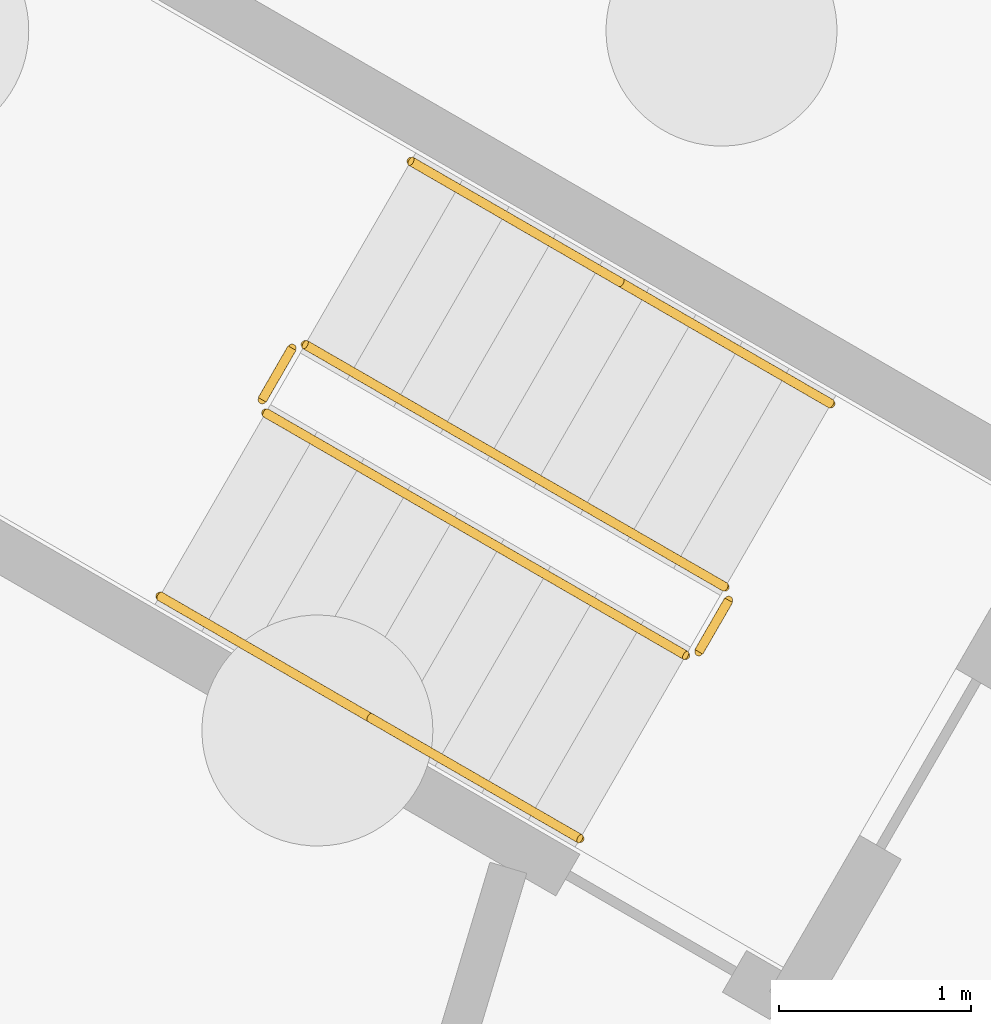
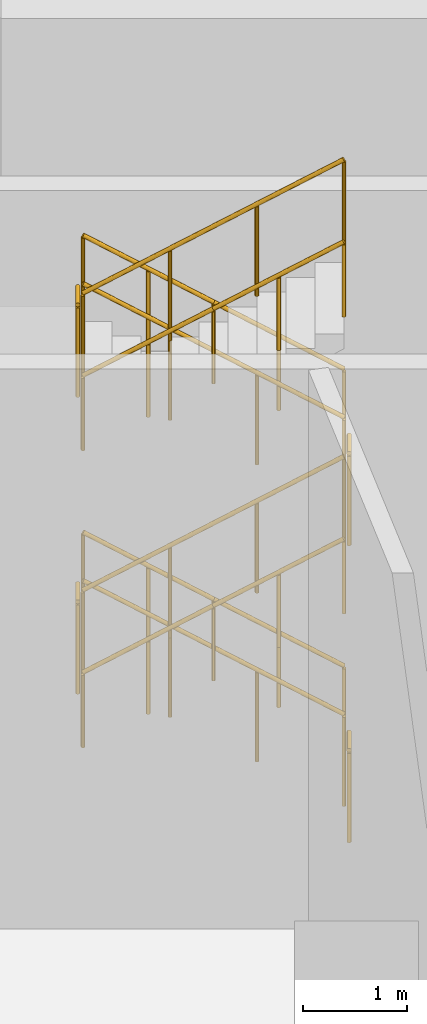
# One storey, part 15 of 18: 16 railings.
"""IFC4 building model written with IfcOpenShell, lengths in metres."""

import ifcopenshell
import ifcopenshell.guid

model = None  # the IFC model being written
_history = None  # IfcOwnerHistory: only IFC2X3 demands one
_inside = {}  # id of a spatial element -> (the spatial element, [elements in it])
_under = {}  # id of a project, library or spatial element -> (it, [spatial elements below it])
_declared = {}  # id of a project -> (the project, [libraries it declares])
_typed = {}  # id of a type object -> (the type object, [elements of that type])
_made_of = {}  # id of a material, layer set ... -> (it, [elements and type objects made of it])


def new_model(schema):
    """Start an empty IFC model of exactly this schema.

    Asked for "IFC4X3", IfcOpenShell would pick the latest addendum, in which some entities
    have other attributes; the version numbers below select the first issue.
    IFC2X3 requires an IfcOwnerHistory on every rooted entity: one is made here for all.
    """
    global model, _history
    if schema == "IFC4X3":
        model = ifcopenshell.file(schema_version=(4, 3, 0, 0))
    else:
        model = ifcopenshell.file(schema=schema)
    _inside.clear()
    _under.clear()
    _declared.clear()
    _typed.clear()
    _made_of.clear()
    _history = None
    if model.schema == "IFC2X3":
        org = make("IfcOrganization", Name="unknown")
        user = make(
            "IfcPersonAndOrganization",
            ThePerson=make("IfcPerson", FamilyName="unknown"),
            TheOrganization=org,
        )
        app = make(
            "IfcApplication",
            ApplicationDeveloper=org,
            Version="unknown",
            ApplicationFullName="unknown",
            ApplicationIdentifier="unknown",
        )
        _history = make(
            "IfcOwnerHistory",
            OwningUser=user,
            OwningApplication=app,
            ChangeAction="ADDED",
            CreationDate=0,
        )
    return model


def make(cls, **values):
    """One entity of the class cls with the attributes given. An attribute that is None is left unset."""
    return model.create_entity(
        cls, **{name: value for name, value in values.items() if value is not None}
    )


def rooted(cls, **values):
    """An entity with a GlobalId (a new one), such as an element, a storey or a relation."""
    return make(cls, GlobalId=ifcopenshell.guid.new(), OwnerHistory=_history, **values)


def si_unit(unit_type, name, prefix=None):
    """IfcSIUnit, for example si_unit("LENGTHUNIT", "METRE", prefix="MILLI")."""
    return make("IfcSIUnit", UnitType=unit_type, Prefix=prefix, Name=name)


def assignment(units):
    """IfcUnitAssignment: the units of a project."""
    return None if units is None else make("IfcUnitAssignment", Units=units)


def point(xyz):
    """IfcCartesianPoint."""
    return None if xyz is None else make("IfcCartesianPoint", Coordinates=xyz)


def direction(xyz):
    """IfcDirection."""
    return None if xyz is None else make("IfcDirection", DirectionRatios=xyz)


def frame(location, z_axis=None, x_axis=None):
    """IfcAxis2Placement3D, a coordinate frame: its origin and axes. An axis left out is left unset."""
    return make(
        "IfcAxis2Placement3D",
        Location=point(location),
        Axis=direction(z_axis),
        RefDirection=direction(x_axis),
    )


def frame_2d(location, x_axis=None):
    """IfcAxis2Placement2D, a coordinate frame in the plane: its origin and x axis."""
    return make(
        "IfcAxis2Placement2D", Location=point(location), RefDirection=direction(x_axis)
    )


def origin():
    """The frame at (0, 0, 0) with its axes left unset."""
    return frame((0.0, 0.0, 0.0))


def origin_2d():
    """The frame at (0, 0) in the plane with its x axis left unset."""
    return frame_2d((0.0, 0.0))


def place(relative_to, where):
    """IfcLocalPlacement: puts the frame where relative to a parent placement (None: the world)."""
    return make(
        "IfcLocalPlacement", PlacementRelTo=relative_to, RelativePlacement=where
    )


def context(
    kind, dimensions, precision=None, world=None, true_north=None, identifier=None
):
    """IfcGeometricRepresentationContext, for example the 3D "Model" context."""
    return make(
        "IfcGeometricRepresentationContext",
        ContextIdentifier=identifier,
        ContextType=kind,
        CoordinateSpaceDimension=dimensions,
        Precision=precision,
        WorldCoordinateSystem=world,
        TrueNorth=true_north,
    )


def subcontext(parent, identifier, kind, view, scale=None):
    """IfcGeometricRepresentationSubContext, for example "Body" below "Model"."""
    return make(
        "IfcGeometricRepresentationSubContext",
        ContextIdentifier=identifier,
        ContextType=kind,
        ParentContext=parent,
        TargetScale=scale,
        TargetView=view,
    )


def project(units=None, contexts=None):
    """IfcProject with its units and contexts."""
    return rooted(
        "IfcProject",
        Name="project",
        RepresentationContexts=contexts,
        UnitsInContext=assignment(units),
    )


def spatial(cls, under=None, at=None, **own):
    """A site, building, storey or space (cls), placed at a placement, below another one or the project."""
    s = rooted(cls, ObjectPlacement=at, **own)
    if under is not None:
        _under.setdefault(under.id(), (under, []))[1].append(s)
    return s


def profile(cls, at=None, kind="AREA", **sizes):
    """A parametric profile (cls). Its sizes go by their IFC names, for example OverallWidth=200.0."""
    return make(cls, ProfileType=kind, Position=at, **sizes)


def circle(**sizes):
    """IfcCircleProfileDef."""
    return profile("IfcCircleProfileDef", **sizes)


def extrude(swept, where, along, depth):
    """IfcExtrudedAreaSolid: the profile swept, set in the frame where, extruded along a direction by depth."""
    return make(
        "IfcExtrudedAreaSolid",
        SweptArea=swept,
        Position=where,
        ExtrudedDirection=direction(along),
        Depth=depth,
    )


def shape(context_of_items, identifier, shape_type, items):
    """IfcShapeRepresentation: the items that make up one representation, for example the "Body"."""
    return make(
        "IfcShapeRepresentation",
        ContextOfItems=context_of_items,
        RepresentationIdentifier=identifier,
        RepresentationType=shape_type,
        Items=items,
    )


def material(Name=None, Category=None):
    """IfcMaterial."""
    return make("IfcMaterial", Name=Name, Category=Category)


def made_of(thing, what):
    """Note that an element or type object is made of a material, layer set ...; save() writes the relation."""
    if what is not None:
        _made_of.setdefault(what.id(), (what, []))[1].append(thing)
    return thing


def type_object(cls, material=None, **own):
    """A type object (cls), such as IfcWallType, which elements share."""
    return made_of(rooted(cls, **own), material)


def element(
    cls,
    number,
    at=None,
    inside=None,
    cuts=None,
    type_object=None,
    material=None,
    context=None,
    identifier="Body",
    shape_type=None,
    held_by="IfcProductDefinitionShape",
    body=None,
    shapes=None,
    **own,
):
    """One element of the class cls, such as IfcWall. Its Tag is "e" and its number.

    at: its placement. inside: the storey or other place that contains it. cuts: it is an
    opening in that element (IfcRelVoidsElement). A single representation is given by context,
    identifier, shape_type and body (its items); several are given by shapes. held_by: the class
    of the entity that holds the representations. save() writes the other relations.
    """
    e = rooted(cls, Tag="e%d" % number, ObjectPlacement=at, **own)
    if body is not None:
        shapes = [shape(context, identifier, shape_type, body)]
    if shapes is not None:
        e.Representation = make(held_by, Representations=shapes)
    if inside is not None:
        _inside.setdefault(inside.id(), (inside, []))[1].append(e)
    if cuts is not None:
        rooted(
            "IfcRelVoidsElement", RelatingBuildingElement=cuts, RelatedOpeningElement=e
        )
    if type_object is not None:
        _typed.setdefault(type_object.id(), (type_object, []))[1].append(e)
    return made_of(e, material)


def aggregate(whole, parts):
    """IfcRelAggregates: a whole, such as a stair, and the parts it consists of."""
    return rooted("IfcRelAggregates", RelatingObject=whole, RelatedObjects=parts)


def save(model, path):
    """Write the relations noted so far, then the file.

    IfcRelAggregates (storeys below a building ...), IfcRelContainedInSpatialStructure (elements
    in a storey), IfcRelDefinesByType, IfcRelAssociatesMaterial and IfcRelDeclares: one each for
    every whole, place, type object, material and project.
    """
    for whole, parts in _under.values():
        aggregate(whole, parts)
    for where, things in _inside.values():
        rooted(
            "IfcRelContainedInSpatialStructure",
            RelatedElements=things,
            RelatingStructure=where,
        )
    for kind, things in _typed.values():
        rooted("IfcRelDefinesByType", RelatedObjects=things, RelatingType=kind)
    for what, things in _made_of.values():
        rooted("IfcRelAssociatesMaterial", RelatedObjects=things, RelatingMaterial=what)
    for by, libraries in _declared.values():
        rooted("IfcRelDeclares", RelatingContext=by, RelatedDefinitions=libraries)
    model.write(path)


model = new_model("IFC4")

# Units and contexts
model_context = context("Model", 3, precision=1e-05, world=origin(), true_north=direction((0.0, 1.0)))
body_context = subcontext(model_context, "Body", "Model", "MODEL_VIEW")
ifc_project = project(units=[si_unit("LENGTHUNIT", "METRE"), si_unit("AREAUNIT", "SQUARE_METRE"), si_unit("VOLUMEUNIT", "CUBIC_METRE"), si_unit("PLANEANGLEUNIT", "RADIAN"), si_unit("MASSUNIT", "GRAM", prefix="KILO")], contexts=[model_context])

# Site, building, storey
site_placement = place(None, origin())
site = spatial("IfcSite", under=ifc_project, at=site_placement, CompositionType="ELEMENT")
building_placement = place(site_placement, origin())
building = spatial("IfcBuilding", under=site, at=building_placement, Name="Ayvan Gate Tower", CompositionType="ELEMENT")
storey_placement = place(building_placement, origin())
storey = spatial("IfcBuildingStorey", under=building, at=storey_placement, Name="L00", CompositionType="ELEMENT", Elevation=0.0)

# Railings
ifc_material = material(Name="Stainless steel balustrade", Category="steel")
railing_type_1 = type_object("IfcRailingType", Name="RL-GUARD-1100", PredefinedType="GUARDRAIL", material=ifc_material)
railing_1_placement = place(storey_placement, frame((-8.381103515625, -10.16650390625, 0.175048828125)))
element("IfcRailing", 1, at=railing_1_placement, inside=storey, type_object=railing_type_1, Name="L00 STS2 stair guard 1", PredefinedType="GUARDRAIL", context=body_context, shape_type="SweptSolid", body=[
    extrude(circle(Radius=0.02392578125, at=origin_2d()), frame((0.0, 0.0, 1.076171875), z_axis=(-0.73439174503, 0.42400668935, 0.529987822708), x_axis=(-0.500004791531, -0.866022637375, 0.0)), (0.0, 0.0, 1.0), 2.9716796875),
    extrude(circle(Radius=0.02099609375, at=origin_2d()), origin(), (0.0, 0.0, 1.0), 1.052001953125),
    extrude(circle(Radius=0.02099609375, at=origin_2d()), frame((-0.7275390625, 0.419921875, 0.52490234375)), (0.0, 0.0, 1.0), 1.052001953125),
    extrude(circle(Radius=0.02099609375, at=origin_2d()), frame((-1.454833984375, 0.840087890625, 1.050048828125)), (0.0, 0.0, 1.0), 1.052001953125),
    extrude(circle(Radius=0.02099609375, at=origin_2d()), frame((-2.182373046875, 1.260009765625, 1.574951171875)), (0.0, 0.0, 1.0), 1.052001953125),
])
railing_2_placement = place(storey_placement, frame((-10.6318359375, -8.9248046875, 1.75)))
element("IfcRailing", 2, at=railing_2_placement, inside=storey, type_object=railing_type_1, Name="L00 STS2 stair guard 2", PredefinedType="GUARDRAIL", context=body_context, shape_type="SweptSolid", body=[
    extrude(circle(Radius=0.02392578125, at=origin_2d()), frame((0.0, 0.0, 1.076171875), z_axis=(-0.499949632511, -0.866054481515, 0.0), x_axis=(0.866054481515, -0.499949632511, 0.0)), (0.0, 0.0, 1.0), 0.31005859375),
    extrude(circle(Radius=0.02099609375, at=origin_2d()), origin(), (0.0, 0.0, 1.0), 1.052001953125),
    extrude(circle(Radius=0.02099609375, at=origin_2d()), frame((-0.155029296875, -0.2685546875, 0.0)), (0.0, 0.0, 1.0), 1.052001953125),
])
railing_3_placement = place(storey_placement, frame((-10.7685546875, -9.261474609375, 1.925048828125)))
element("IfcRailing", 3, at=railing_3_placement, inside=storey, type_object=railing_type_1, Name="L00 STS2 stair guard 3", PredefinedType="GUARDRAIL", context=body_context, shape_type="SweptSolid", body=[
    extrude(circle(Radius=0.02392578125, at=origin_2d()), frame((0.0, 0.0, 1.076171875), z_axis=(0.73439174503, -0.42400668935, 0.529987822708), x_axis=(0.500004791531, 0.866022637375, 0.0)), (0.0, 0.0, 1.0), 2.9716796875),
    extrude(circle(Radius=0.02099609375, at=origin_2d()), origin(), (0.0, 0.0, 1.0), 1.052001953125),
    extrude(circle(Radius=0.02099609375, at=origin_2d()), frame((0.7275390625, -0.419921875, 0.52490234375)), (0.0, 0.0, 1.0), 1.052001953125),
    extrude(circle(Radius=0.02099609375, at=origin_2d()), frame((1.454833984375, -0.840087890625, 1.050048828125)), (0.0, 0.0, 1.0), 1.052001953125),
    extrude(circle(Radius=0.02099609375, at=origin_2d()), frame((2.182373046875, -1.260009765625, 1.574951171875)), (0.0, 0.0, 1.0), 1.052001953125),
])
railing_4_placement = place(storey_placement, frame((-8.36279296875, -10.23486328125, 3.5)))
element("IfcRailing", 4, at=railing_4_placement, inside=storey, type_object=railing_type_1, Name="L00 STS2 stair guard 4", PredefinedType="GUARDRAIL", context=body_context, shape_type="SweptSolid", body=[
    extrude(circle(Radius=0.02392578125, at=origin_2d()), frame((0.0, 0.0, 1.076171875), z_axis=(-0.500290723946, -0.86585748916, 0.0), x_axis=(0.86585748916, -0.500290723946, 0.0)), (0.0, 0.0, 1.0), 0.309814453125),
    extrude(circle(Radius=0.02099609375, at=origin_2d()), origin(), (0.0, 0.0, 1.0), 1.052001953125),
    extrude(circle(Radius=0.02099609375, at=origin_2d()), frame((-0.155029296875, -0.268310546875, 0.0)), (0.0, 0.0, 1.0), 1.052001953125),
])
railing_5_placement = place(storey_placement, frame((-8.381103515625, -10.16650390625, 3.675048828125)))
element("IfcRailing", 5, at=railing_5_placement, inside=storey, type_object=railing_type_1, Name="L00 STS2 stair guard 5", PredefinedType="GUARDRAIL", context=body_context, shape_type="SweptSolid", body=[
    extrude(circle(Radius=0.02392578125, at=origin_2d()), frame((0.0, 0.0, 1.076171875), z_axis=(-0.73439174503, 0.42400668935, 0.529987822708), x_axis=(-0.500004791531, -0.866022637375, 0.0)), (0.0, 0.0, 1.0), 2.9716796875),
    extrude(circle(Radius=0.02099609375, at=origin_2d()), origin(), (0.0, 0.0, 1.0), 1.052001953125),
    extrude(circle(Radius=0.02099609375, at=origin_2d()), frame((-0.7275390625, 0.419921875, 0.52490234375)), (0.0, 0.0, 1.0), 1.052001953125),
    extrude(circle(Radius=0.02099609375, at=origin_2d()), frame((-1.454833984375, 0.840087890625, 1.050048828125)), (0.0, 0.0, 1.0), 1.052001953125),
    extrude(circle(Radius=0.02099609375, at=origin_2d()), frame((-2.182373046875, 1.260009765625, 1.574951171875)), (0.0, 0.0, 1.0), 1.052001953125),
])
railing_6_placement = place(storey_placement, frame((-10.6318359375, -8.9248046875, 5.25)))
element("IfcRailing", 6, at=railing_6_placement, inside=storey, type_object=railing_type_1, Name="L00 STS2 stair guard 6", PredefinedType="GUARDRAIL", context=body_context, shape_type="SweptSolid", body=[
    extrude(circle(Radius=0.02392578125, at=origin_2d()), frame((0.0, 0.0, 1.076171875), z_axis=(-0.499949632511, -0.866054481515, 0.0), x_axis=(0.866054481515, -0.499949632511, 0.0)), (0.0, 0.0, 1.0), 0.31005859375),
    extrude(circle(Radius=0.02099609375, at=origin_2d()), origin(), (0.0, 0.0, 1.0), 1.052001953125),
    extrude(circle(Radius=0.02099609375, at=origin_2d()), frame((-0.155029296875, -0.2685546875, 0.0)), (0.0, 0.0, 1.0), 1.052001953125),
])
railing_7_placement = place(storey_placement, frame((-10.7685546875, -9.261474609375, 5.425048828125)))
element("IfcRailing", 7, at=railing_7_placement, inside=storey, type_object=railing_type_1, Name="L00 STS2 stair guard 7", PredefinedType="GUARDRAIL", context=body_context, shape_type="SweptSolid", body=[
    extrude(circle(Radius=0.02392578125, at=origin_2d()), frame((0.0, 0.0, 1.076171875), z_axis=(0.73439174503, -0.42400668935, 0.529987822708), x_axis=(0.500004791531, 0.866022637375, 0.0)), (0.0, 0.0, 1.0), 2.9716796875),
    extrude(circle(Radius=0.02099609375, at=origin_2d()), origin(), (0.0, 0.0, 1.0), 1.052001953125),
    extrude(circle(Radius=0.02099609375, at=origin_2d()), frame((0.7275390625, -0.419921875, 0.52490234375)), (0.0, 0.0, 1.0), 1.052001953125),
    extrude(circle(Radius=0.02099609375, at=origin_2d()), frame((1.454833984375, -0.840087890625, 1.050048828125)), (0.0, 0.0, 1.0), 1.052001953125),
    extrude(circle(Radius=0.02099609375, at=origin_2d()), frame((2.182373046875, -1.260009765625, 1.574951171875)), (0.0, 0.0, 1.0), 1.052001953125),
])
railing_8_placement = place(storey_placement, frame((-8.36279296875, -10.23486328125, 0.0)))
element("IfcRailing", 8, at=railing_8_placement, inside=storey, type_object=railing_type_1, Name="L00 STS2 stair guard 8", PredefinedType="GUARDRAIL", context=body_context, shape_type="SweptSolid", body=[
    extrude(circle(Radius=0.02392578125, at=origin_2d()), frame((0.0, 0.0, 1.076171875), z_axis=(-0.500290723946, -0.86585748916, 0.0), x_axis=(0.86585748916, -0.500290723946, 0.0)), (0.0, 0.0, 1.0), 0.309814453125),
    extrude(circle(Radius=0.02099609375, at=origin_2d()), origin(), (0.0, 0.0, 1.0), 1.052001953125),
    extrude(circle(Radius=0.02099609375, at=origin_2d()), frame((-0.155029296875, -0.268310546875, 0.0)), (0.0, 0.0, 1.0), 1.052001953125),
])
railing_type_2 = type_object("IfcRailingType", Name="RL-HANDRAIL-900", PredefinedType="HANDRAIL", material=ifc_material)
railing_9_placement = place(storey_placement, frame((-7.8310546875, -9.2138671875, 0.175048828125)))
element("IfcRailing", 9, at=railing_9_placement, inside=storey, type_object=railing_type_2, Name="L00 STS2 stair handrail 1", PredefinedType="HANDRAIL", context=body_context, shape_type="SweptSolid", body=[
    extrude(circle(Radius=0.02392578125, at=origin_2d()), frame((0.0, 0.0, 0.8759765625), z_axis=(-0.734487145003, 0.423932177652, 0.529915222066), x_axis=(-0.499890179513, -0.866088799389, 0.0)), (0.0, 0.0, 1.0), 1.48583984375),
    extrude(circle(Radius=0.02099609375, at=origin_2d()), origin(), (0.0, 0.0, 1.0), 0.851806640625),
    extrude(circle(Radius=0.02099609375, at=origin_2d()), frame((-0.545654296875, 0.31494140625, 0.3935546875)), (0.0, 0.0, 1.0), 0.851806640625),
    extrude(circle(Radius=0.02099609375, at=origin_2d()), frame((-1.09130859375, 0.6298828125, 0.787353515625)), (0.0, 0.0, 1.0), 0.851806640625),
])
railing_10_placement = place(storey_placement, frame((-8.92236328125, -8.583984375, 0.96240234375)))
element("IfcRailing", 10, at=railing_10_placement, inside=storey, type_object=railing_type_2, Name="L00 STS2 stair handrail 2", PredefinedType="HANDRAIL", context=body_context, shape_type="SweptSolid", body=[
    extrude(circle(Radius=0.02392578125, at=origin_2d()), frame((0.0, 0.0, 0.8759765625), z_axis=(-0.734296333868, 0.424081189911, 0.530060410172), x_axis=(-0.50011940292, -0.865956455501, 0.0)), (0.0, 0.0, 1.0), 1.48583984375),
    extrude(circle(Radius=0.02099609375, at=origin_2d()), origin(), (0.0, 0.0, 1.0), 0.851806640625),
    extrude(circle(Radius=0.02099609375, at=origin_2d()), frame((-0.54541015625, 0.31494140625, 0.393798828125)), (0.0, 0.0, 1.0), 0.851806640625),
    extrude(circle(Radius=0.02099609375, at=origin_2d()), frame((-1.091064453125, 0.630126953125, 0.78759765625)), (0.0, 0.0, 1.0), 0.851806640625),
])
railing_11_placement = place(storey_placement, frame((-11.318603515625, -10.214111328125, 1.925048828125)))
element("IfcRailing", 11, at=railing_11_placement, inside=storey, type_object=railing_type_2, Name="L00 STS2 stair handrail 3", PredefinedType="HANDRAIL", context=body_context, shape_type="SweptSolid", body=[
    extrude(circle(Radius=0.02392578125, at=origin_2d()), frame((0.0, 0.0, 0.8759765625), z_axis=(0.734435977287, -0.424066947959, 0.529878305761), x_axis=(0.500035496587, 0.86600490885, 0.0)), (0.0, 0.0, 1.0), 1.48583984375),
    extrude(circle(Radius=0.02099609375, at=origin_2d()), origin(), (0.0, 0.0, 1.0), 0.851806640625),
    extrude(circle(Radius=0.02099609375, at=origin_2d()), frame((0.545654296875, -0.31494140625, 0.3935546875)), (0.0, 0.0, 1.0), 0.851806640625),
    extrude(circle(Radius=0.02099609375, at=origin_2d()), frame((1.09130859375, -0.630126953125, 0.787353515625)), (0.0, 0.0, 1.0), 0.851806640625),
])
railing_12_placement = place(storey_placement, frame((-10.227294921875, -10.84423828125, 2.71240234375)))
element("IfcRailing", 12, at=railing_12_placement, inside=storey, type_object=railing_type_2, Name="L00 STS2 stair handrail 4", PredefinedType="HANDRAIL", context=body_context, shape_type="SweptSolid", body=[
    extrude(circle(Radius=0.02392578125, at=origin_2d()), frame((0.0, 0.0, 0.8759765625), z_axis=(0.734423189507, -0.423895263742, 0.530033380167), x_axis=(0.499890179513, 0.866088799389, 0.0)), (0.0, 0.0, 1.0), 1.48583984375),
    extrude(circle(Radius=0.02099609375, at=origin_2d()), origin(), (0.0, 0.0, 1.0), 0.851806640625),
    extrude(circle(Radius=0.02099609375, at=origin_2d()), frame((0.545654296875, -0.31494140625, 0.393798828125)), (0.0, 0.0, 1.0), 0.851806640625),
    extrude(circle(Radius=0.02099609375, at=origin_2d()), frame((1.09130859375, -0.6298828125, 0.78759765625)), (0.0, 0.0, 1.0), 0.851806640625),
])
railing_13_placement = place(storey_placement, frame((-7.8310546875, -9.2138671875, 3.675048828125)))
element("IfcRailing", 13, at=railing_13_placement, inside=storey, type_object=railing_type_2, Name="L00 STS2 stair handrail 5", PredefinedType="HANDRAIL", context=body_context, shape_type="SweptSolid", body=[
    extrude(circle(Radius=0.02392578125, at=origin_2d()), frame((0.0, 0.0, 0.8759765625), z_axis=(-0.734487145003, 0.423932177652, 0.529915222066), x_axis=(-0.499890179513, -0.866088799389, 0.0)), (0.0, 0.0, 1.0), 1.48583984375),
    extrude(circle(Radius=0.02099609375, at=origin_2d()), origin(), (0.0, 0.0, 1.0), 0.851806640625),
    extrude(circle(Radius=0.02099609375, at=origin_2d()), frame((-0.545654296875, 0.31494140625, 0.3935546875)), (0.0, 0.0, 1.0), 0.851806640625),
    extrude(circle(Radius=0.02099609375, at=origin_2d()), frame((-1.09130859375, 0.6298828125, 0.787353515625)), (0.0, 0.0, 1.0), 0.851806640625),
])
railing_14_placement = place(storey_placement, frame((-8.92236328125, -8.583984375, 4.46240234375)))
element("IfcRailing", 14, at=railing_14_placement, inside=storey, type_object=railing_type_2, Name="L00 STS2 stair handrail 6", PredefinedType="HANDRAIL", context=body_context, shape_type="SweptSolid", body=[
    extrude(circle(Radius=0.02392578125, at=origin_2d()), frame((0.0, 0.0, 0.8759765625), z_axis=(-0.734296333868, 0.424081189911, 0.530060410172), x_axis=(-0.50011940292, -0.865956455501, 0.0)), (0.0, 0.0, 1.0), 1.48583984375),
    extrude(circle(Radius=0.02099609375, at=origin_2d()), origin(), (0.0, 0.0, 1.0), 0.851806640625),
    extrude(circle(Radius=0.02099609375, at=origin_2d()), frame((-0.54541015625, 0.31494140625, 0.393798828125)), (0.0, 0.0, 1.0), 0.851806640625),
    extrude(circle(Radius=0.02099609375, at=origin_2d()), frame((-1.091064453125, 0.630126953125, 0.78759765625)), (0.0, 0.0, 1.0), 0.851806640625),
])
railing_15_placement = place(storey_placement, frame((-11.318603515625, -10.214111328125, 5.425048828125)))
element("IfcRailing", 15, at=railing_15_placement, inside=storey, type_object=railing_type_2, Name="L00 STS2 stair handrail 7", PredefinedType="HANDRAIL", context=body_context, shape_type="SweptSolid", body=[
    extrude(circle(Radius=0.02392578125, at=origin_2d()), frame((0.0, 0.0, 0.8759765625), z_axis=(0.734435977287, -0.424066947959, 0.529878305761), x_axis=(0.500035496587, 0.86600490885, 0.0)), (0.0, 0.0, 1.0), 1.48583984375),
    extrude(circle(Radius=0.02099609375, at=origin_2d()), origin(), (0.0, 0.0, 1.0), 0.851806640625),
    extrude(circle(Radius=0.02099609375, at=origin_2d()), frame((0.545654296875, -0.31494140625, 0.3935546875)), (0.0, 0.0, 1.0), 0.851806640625),
    extrude(circle(Radius=0.02099609375, at=origin_2d()), frame((1.09130859375, -0.630126953125, 0.787353515625)), (0.0, 0.0, 1.0), 0.851806640625),
])
railing_16_placement = place(storey_placement, frame((-10.227294921875, -10.84423828125, 6.21240234375)))
element("IfcRailing", 16, at=railing_16_placement, inside=storey, type_object=railing_type_2, Name="L00 STS2 stair handrail 8", PredefinedType="HANDRAIL", context=body_context, shape_type="SweptSolid", body=[
    extrude(circle(Radius=0.02392578125, at=origin_2d()), frame((0.0, 0.0, 0.8759765625), z_axis=(0.734423189507, -0.423895263742, 0.530033380167), x_axis=(0.499890179513, 0.866088799389, 0.0)), (0.0, 0.0, 1.0), 1.48583984375),
    extrude(circle(Radius=0.02099609375, at=origin_2d()), origin(), (0.0, 0.0, 1.0), 0.851806640625),
    extrude(circle(Radius=0.02099609375, at=origin_2d()), frame((0.545654296875, -0.31494140625, 0.393798828125)), (0.0, 0.0, 1.0), 0.851806640625),
    extrude(circle(Radius=0.02099609375, at=origin_2d()), frame((1.09130859375, -0.6298828125, 0.78759765625)), (0.0, 0.0, 1.0), 0.851806640625),
])

save(model, "model.ifc")
